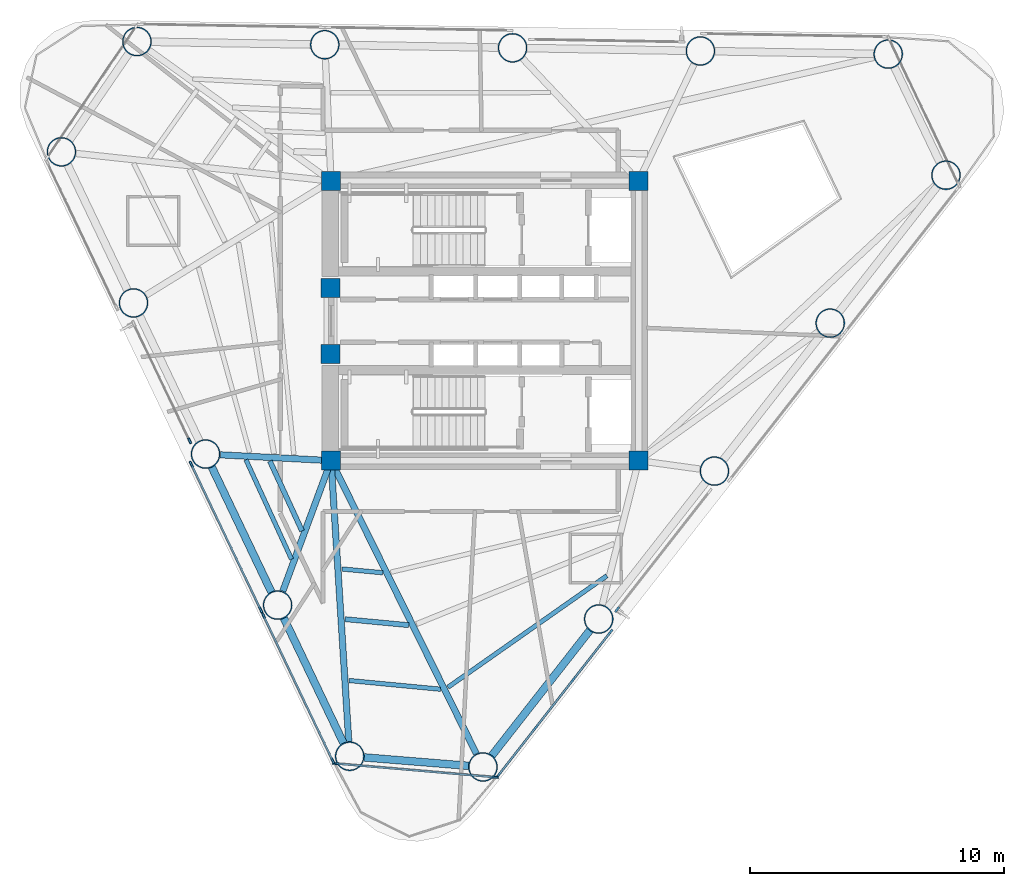
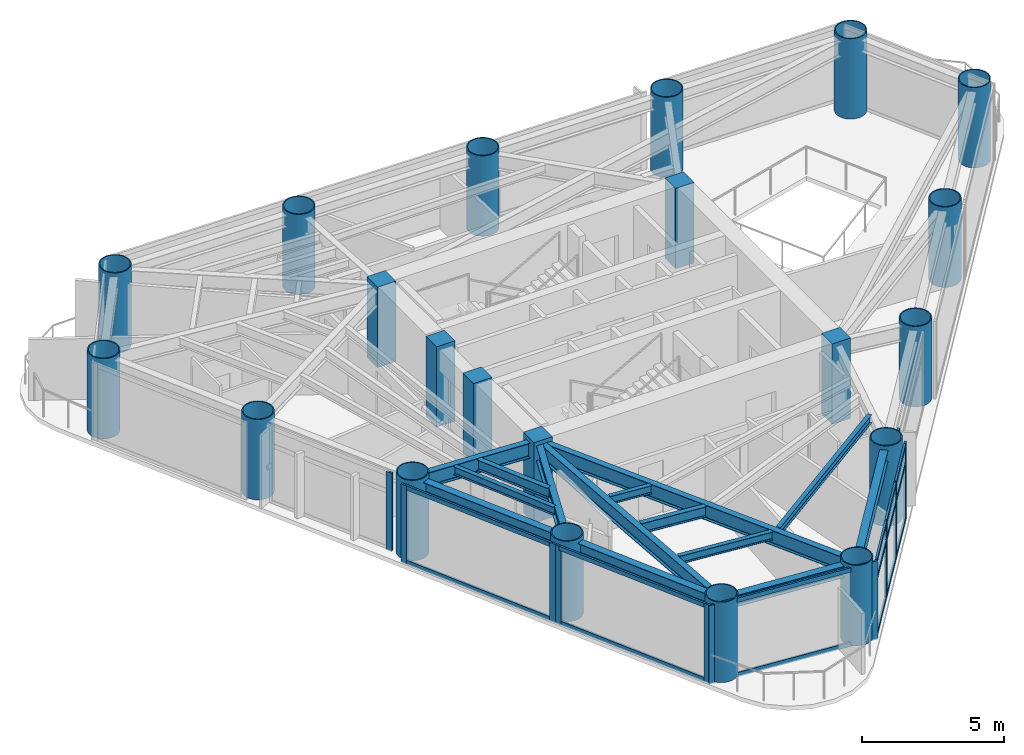
# One storey, part 1 of 9: 27 members, 21 columns, 14 beams, 6 elements without a shape of their own.
"""IFC4 building model written with IfcOpenShell, lengths in metres."""

from ifc_helpers import new_model, si_unit, direction, frame, origin, origin_2d, place, context, subcontext, project, spatial, rectangle, hollow_circle, i_section, extrude, source, transform, mapped, material, layer, layer_set, material_profile, profile_set, type_object, element, aggregate, save


model = new_model("IFC4")

# Units and contexts
model_context = context("Model", 3, precision=1e-05, world=origin(), true_north=direction((0.0, 1.0)))
body_context = subcontext(model_context, "Body", "Model", "MODEL_VIEW")
ifc_project = project(units=[si_unit("LENGTHUNIT", "METRE"), si_unit("AREAUNIT", "SQUARE_METRE"), si_unit("VOLUMEUNIT", "CUBIC_METRE"), si_unit("PLANEANGLEUNIT", "RADIAN"), si_unit("MASSUNIT", "GRAM", prefix="KILO")], contexts=[model_context])

# Site, building, storey
site_placement = place(None, origin())
site = spatial("IfcSite", under=ifc_project, at=site_placement, CompositionType="ELEMENT")
building_placement = place(site_placement, origin())
building = spatial("IfcBuilding", under=site, at=building_placement, Name="Yunling Apex Tower", CompositionType="ELEMENT")
storey_placement = place(building_placement, frame((0.0, 0.0, 194.89990234375)))
storey = spatial("IfcBuildingStorey", under=building, at=storey_placement, Name="L47", CompositionType="ELEMENT", Elevation=194.89990234375)

# Columns
ifc_material_1 = material(Name="Concrete C50", Category="concrete")
ifc_material_profile_1 = material_profile(ifc_material_1, rectangle(XDim=0.75, YDim=0.75, at=origin_2d()))
ifc_profile_set_1 = profile_set([ifc_material_profile_1], Name="Concrete C50")
column_type_1 = type_object("IfcColumnType", Name="PC-SRC-4", PredefinedType="COLUMN", material=ifc_profile_set_1)
shared_shape_1 = source(origin(), body_context, "Body", "SweptSolid", [
    extrude(rectangle(XDim=0.75, YDim=0.75, at=origin_2d()), origin(), (0.0, 0.0, 1.0), 3.4501953125),
])
for number, where, z_axis, x_axis, name in (
    (1, (-6.050048828125, -5.5, 0.0), (0.0, 0.0, 1.0), (1.0, 0.0, 0.0), "L47 Core Spine Column CC-SW"),
    (2, (6.050048828125, -5.5, 0.0), (0.0, 0.0, 1.0), (1.0, 0.0, 0.0), "L47 Core Spine Column CC-SE"),
    (3, (6.050048828125, 5.5, 0.0), (0.0, 0.0, 1.0), (1.0, 0.0, 0.0), "L47 Core Spine Column CC-NE"),
    (4, (-6.050048828125, 5.5, 0.0), (0.0, 0.0, 1.0), (1.0, 0.0, 0.0), "L47 Core Spine Column CC-NW"),
    (5, (-6.074951171875, -1.300048828125, 0.0), (0.0, 0.0, 1.0), (1.0, 0.0, 0.0), "L47 Core West Portal Jamb Column S"),
    (6, (-6.074951171875, 1.300048828125, 0.0), (0.0, 0.0, 1.0), (1.0, 0.0, 0.0), "L47 Core West Portal Jamb Column N"),
):
    element("IfcColumn", number, at=place(storey_placement, frame(where, z_axis=z_axis, x_axis=x_axis)), inside=storey, type_object=column_type_1, Name=name, PredefinedType="COLUMN", context=body_context, shape_type="MappedRepresentation", body=[
        mapped(shared_shape_1, transform((0.0, 0.0, 0.0), scale=1.0)),
    ])
ifc_material_2 = material(Name="Steel Q390GJC", Category="steel")
ifc_material_profile_2 = material_profile(ifc_material_2, hollow_circle(Radius=0.574951171875, WallThickness=0.0419921875, at=origin_2d()))
ifc_profile_set_2 = profile_set([ifc_material_profile_2], Name="Steel Q390GJC")
column_type_2 = type_object("IfcColumnType", Name="MC-CFST-4", PredefinedType="COLUMN", material=ifc_profile_set_2)
shared_shape_2 = source(origin(), body_context, "Body", "SweptSolid", [
    extrude(hollow_circle(Radius=0.574951171875, WallThickness=0.0419921875, at=origin_2d()), origin(), (0.0, 0.0, 1.0), 3.4501953125),
])
for number, where, z_axis, x_axis, name in (
    (7, (-0.073486328125, -17.55322265625, 0.0), (0.0, 0.0, 1.0), (1.0, 0.0, 0.0), "L47 Perimeter CFST Mega-Column P01"),
    (8, (4.480712890625, -11.732177734375, 0.0), (0.0, 0.0, 1.0), (1.0, 0.0, 0.0), "L47 Perimeter CFST Mega-Column P02"),
    (9, (9.03515625, -5.911376953125, 0.0), (0.0, 0.0, 1.0), (1.0, 0.0, 0.0), "L47 Perimeter CFST Mega-Column P03"),
    (10, (13.589599609375, -0.09033203125, 0.0), (0.0, 0.0, 1.0), (1.0, 0.0, 0.0), "L47 Perimeter CFST Mega-Column P04"),
    (11, (18.143798828125, 5.730712890625, 0.0), (0.0, 0.0, 1.0), (1.0, 0.0, 0.0), "L47 Perimeter CFST Mega-Column P05"),
    (12, (15.871826171875, 10.493896484375, 0.0), (0.0, 0.0, 1.0), (1.0, 0.0, 0.0), "L47 Perimeter CFST Mega-Column P06"),
    (13, (8.48193359375, 10.617919921875, 0.0), (0.0, 0.0, 1.0), (1.0, 0.0, 0.0), "L47 Perimeter CFST Mega-Column P07"),
    (14, (1.092041015625, 10.74169921875, 0.0), (0.0, 0.0, 1.0), (1.0, 0.0, 0.0), "L47 Perimeter CFST Mega-Column P08"),
    (15, (-6.2978515625, 10.865478515625, 0.0), (0.0, 0.0, 1.0), (1.0, 0.0, 0.0), "L47 Perimeter CFST Mega-Column P09"),
    (16, (-13.687744140625, 10.989501953125, 0.0), (0.0, 0.0, 1.0), (1.0, 0.0, 0.0), "L47 Perimeter CFST Mega-Column P10"),
    (17, (-16.657958984375, 6.649169921875, 0.0), (0.0, 0.0, 1.0), (1.0, 0.0, 0.0), "L47 Perimeter CFST Mega-Column P11"),
    (18, (-13.822509765625, 0.704345703125, 0.0), (0.0, 0.0, 1.0), (1.0, 0.0, 0.0), "L47 Perimeter CFST Mega-Column P12"),
    (19, (-10.98681640625, -5.240478515625, 0.0), (0.0, 0.0, 1.0), (1.0, 0.0, 0.0), "L47 Perimeter CFST Mega-Column P13"),
    (20, (-8.1513671875, -11.185302734375, 0.0), (0.0, 0.0, 1.0), (1.0, 0.0, 0.0), "L47 Perimeter CFST Mega-Column P14"),
    (21, (-5.31591796875, -17.130126953125, 0.0), (0.0, 0.0, 1.0), (1.0, 0.0, 0.0), "L47 Perimeter CFST Mega-Column P15"),
):
    element("IfcColumn", number, at=place(storey_placement, frame(where, z_axis=z_axis, x_axis=x_axis)), inside=storey, type_object=column_type_2, Name=name, PredefinedType="COLUMN", context=body_context, shape_type="MappedRepresentation", body=[
        mapped(shared_shape_2, transform((0.0, 0.0, 0.0), scale=1.0)),
    ])

# Beams
ifc_material_3 = material(Name="Steel Q355B", Category="steel")
ifc_material_profile_3 = material_profile(ifc_material_3, i_section(OverallWidth=0.300048828125, OverallDepth=0.489990234375, WebThickness=0.010986328125, FlangeThickness=0.01806640625, FilletRadius=0.02197265625, at=origin_2d()))
ifc_profile_set_3 = profile_set([ifc_material_profile_3], Name="Steel Q355B")
beam_type_1 = type_object("IfcBeamType", Name="BP-SPN-2", PredefinedType="SPANDREL", material=ifc_profile_set_3)
shared_shape_3 = source(origin(), body_context, "Body", "SweptSolid", [
    extrude(i_section(OverallWidth=0.300048828125, OverallDepth=0.489990234375, WebThickness=0.010986328125, FlangeThickness=0.01806640625, FilletRadius=0.02197265625, at=origin_2d()), origin(), (0.0, 0.0, 1.0), 6.252685546875),
])
beam_1_placement = place(storey_placement, frame((0.277099609375, -17.10498046875, 3.025146484375), z_axis=(0.616211399259, 0.787580796759, 0.0), x_axis=(-0.787580796759, 0.616211399259, 0.0)))
element("IfcBeam", 22, at=beam_1_placement, inside=storey, type_object=beam_type_1, Name="L47 Perimeter Spandrel Beam 1", PredefinedType="SPANDREL", context=body_context, shape_type="MappedRepresentation", body=[
    mapped(shared_shape_3, transform((0.0, 0.0, 0.0), scale=1.0)),
])
shared_shape_4 = source(origin(), body_context, "Body", "SweptSolid", [
    extrude(i_section(OverallWidth=0.300048828125, OverallDepth=0.489990234375, WebThickness=0.010986328125, FlangeThickness=0.01806640625, FilletRadius=0.02197265625, at=origin_2d()), origin(), (0.0, 0.0, 1.0), 4.121337890625),
])
beam_2_placement = place(storey_placement, frame((-4.74853515625, -17.17578125, 3.025146484375), z_axis=(0.996758900332, -0.080446843376, 0.0), x_axis=(0.080446843376, 0.996758900332, 0.0)))
element("IfcBeam", 23, at=beam_2_placement, inside=storey, type_object=beam_type_1, Name="L47 Perimeter Spandrel Beam 15", PredefinedType="SPANDREL", context=body_context, shape_type="MappedRepresentation", body=[
    mapped(shared_shape_4, transform((0.0, 0.0, 0.0), scale=1.0)),
])
shared_shape_5 = source(origin(), body_context, "Body", "SweptSolid", [
    extrude(i_section(OverallWidth=0.300048828125, OverallDepth=0.489990234375, WebThickness=0.010986328125, FlangeThickness=0.01806640625, FilletRadius=0.02197265625, at=origin_2d()), origin(), (0.0, 0.0, 1.0), 5.4482421875),
])
for number, where, z_axis, x_axis, name in (
    (24, (-10.741943359375, -5.754150390625, 3.025146484375), (0.430538797564, -0.902572071246, 0.0), (0.902572071246, 0.430538797564, 0.0), "L47 Perimeter Spandrel Beam 13"),
    (25, (-7.90625, -11.698974609375, 3.025146484375), (0.430502292287, -0.902589483839, 0.0), (0.902589483839, 0.430502292287, 0.0), "L47 Perimeter Spandrel Beam 14"),
):
    element("IfcBeam", number, at=place(storey_placement, frame(where, z_axis=z_axis, x_axis=x_axis)), inside=storey, type_object=beam_type_1, Name=name, PredefinedType="SPANDREL", context=body_context, shape_type="MappedRepresentation", body=[
        mapped(shared_shape_5, transform((0.0, 0.0, 0.0), scale=1.0)),
    ])
ifc_material_profile_4 = material_profile(ifc_material_3, i_section(OverallWidth=0.25, OverallDepth=0.64990234375, WebThickness=0.011962890625, FlangeThickness=0.02001953125, FilletRadius=0.02392578125, at=origin_2d()))
ifc_profile_set_4 = profile_set([ifc_material_profile_4], Name="Steel Q355B")
beam_type_2 = type_object("IfcBeamType", Name="BG-PRI-4", PredefinedType="USERDEFINED", material=ifc_profile_set_4)
shared_shape_6 = source(origin(), body_context, "Body", "SweptSolid", [
    extrude(i_section(OverallWidth=0.25, OverallDepth=0.64990234375, WebThickness=0.011962890625, FlangeThickness=0.02001953125, FilletRadius=0.02392578125, at=origin_2d()), origin(), (0.0, 0.0, 1.0), 12.79052734375),
])
beam_3_placement = place(storey_placement, frame((-0.33251953125, -17.031005859375, 2.945068359375), z_axis=(-0.444225803272, 0.895914859631, 0.0), x_axis=(-0.895914859631, -0.444225803272, 0.0)))
element("IfcBeam", 26, at=beam_3_placement, inside=storey, type_object=beam_type_2, Name="L47 Radial Primary Girder R01", ObjectType="GIRDER", PredefinedType="USERDEFINED", context=body_context, shape_type="MappedRepresentation", body=[
    mapped(shared_shape_6, transform((0.0, 0.0, 0.0), scale=1.0)),
])
shared_shape_7 = source(origin(), body_context, "Body", "SweptSolid", [
    extrude(i_section(OverallWidth=0.25, OverallDepth=0.64990234375, WebThickness=0.011962890625, FlangeThickness=0.02001953125, FilletRadius=0.02392578125, at=origin_2d()), origin(), (0.0, 0.0, 1.0), 4.28076171875),
])
beam_4_placement = place(storey_placement, frame((-10.40478515625, -5.27099609375, 2.945068359375), z_axis=(0.998619561788, -0.052525906134, 0.0), x_axis=(0.052525906134, 0.998619561788, 0.0)))
element("IfcBeam", 27, at=beam_4_placement, inside=storey, type_object=beam_type_2, Name="L47 Radial Primary Girder R13", ObjectType="GIRDER", PredefinedType="USERDEFINED", context=body_context, shape_type="MappedRepresentation", body=[
    mapped(shared_shape_7, transform((0.0, 0.0, 0.0), scale=1.0)),
])
shared_shape_8 = source(origin(), body_context, "Body", "SweptSolid", [
    extrude(i_section(OverallWidth=0.25, OverallDepth=0.64990234375, WebThickness=0.011962890625, FlangeThickness=0.02001953125, FilletRadius=0.02392578125, at=origin_2d()), origin(), (0.0, 0.0, 1.0), 5.398193359375),
])
beam_5_placement = place(storey_placement, frame((-7.94921875, -10.638427734375, 2.945068359375), z_axis=(0.346698581513, 0.937976595431, 0.0), x_axis=(-0.937976595431, 0.346698581513, 0.0)))
element("IfcBeam", 28, at=beam_5_placement, inside=storey, type_object=beam_type_2, Name="L47 Radial Primary Girder R14", ObjectType="GIRDER", PredefinedType="USERDEFINED", context=body_context, shape_type="MappedRepresentation", body=[
    mapped(shared_shape_8, transform((0.0, 0.0, 0.0), scale=1.0)),
])
shared_shape_9 = source(origin(), body_context, "Body", "SweptSolid", [
    extrude(i_section(OverallWidth=0.25, OverallDepth=0.64990234375, WebThickness=0.011962890625, FlangeThickness=0.02001953125, FilletRadius=0.02392578125, at=origin_2d()), origin(), (0.0, 0.0, 1.0), 10.990234375),
])
beam_6_placement = place(storey_placement, frame((-5.3525390625, -16.54833984375, 2.945068359375), z_axis=(-0.062999232086, 0.998013575437, 0.0), x_axis=(-0.998013575437, -0.062999232086, 0.0)))
element("IfcBeam", 29, at=beam_6_placement, inside=storey, type_object=beam_type_2, Name="L47 Radial Primary Girder R15", ObjectType="GIRDER", PredefinedType="USERDEFINED", context=body_context, shape_type="MappedRepresentation", body=[
    mapped(shared_shape_9, transform((0.0, 0.0, 0.0), scale=1.0)),
])
ifc_material_profile_5 = material_profile(ifc_material_3, i_section(OverallWidth=0.175048828125, OverallDepth=0.35009765625, WebThickness=0.007080078125, FlangeThickness=0.010986328125, FilletRadius=0.013916015625, at=origin_2d()))
ifc_profile_set_5 = profile_set([ifc_material_profile_5], Name="Steel Q355B")
beam_type_3 = type_object("IfcBeamType", Name="BJ-JST-1", PredefinedType="JOIST", material=ifc_profile_set_5)
shared_shape_10 = source(origin(), body_context, "Body", "SweptSolid", [
    extrude(i_section(OverallWidth=0.175048828125, OverallDepth=0.35009765625, WebThickness=0.007080078125, FlangeThickness=0.010986328125, FilletRadius=0.013916015625, at=origin_2d()), origin(), (0.0, 0.0, 1.0), 7.639892578125),
])
beam_7_placement = place(storey_placement, frame((-1.45166015625, -14.41796875, 3.09521484375), z_axis=(0.818522685397, 0.574474206113, 0.0), x_axis=(-0.574474206113, 0.818522685397, 0.0)))
element("IfcBeam", 30, at=beam_7_placement, inside=storey, type_object=beam_type_3, Name="L47 Composite Floor Joist BJ1-1", PredefinedType="JOIST", context=body_context, shape_type="MappedRepresentation", body=[
    mapped(shared_shape_10, transform((0.0, 0.0, 0.0), scale=1.0)),
])
ifc_material_profile_6 = material_profile(ifc_material_3, i_section(OverallWidth=0.199951171875, OverallDepth=0.449951171875, WebThickness=0.009033203125, FlangeThickness=0.013916015625, FilletRadius=0.01806640625, at=origin_2d()))
ifc_profile_set_6 = profile_set([ifc_material_profile_6], Name="Steel Q355B")
beam_type_4 = type_object("IfcBeamType", Name="BS-SEC-3", PredefinedType="BEAM", material=ifc_profile_set_6)
shared_shape_11 = source(origin(), body_context, "Body", "SweptSolid", [
    extrude(i_section(OverallWidth=0.199951171875, OverallDepth=0.449951171875, WebThickness=0.009033203125, FlangeThickness=0.013916015625, FilletRadius=0.01806640625, at=origin_2d()), origin(), (0.0, 0.0, 1.0), 3.0263671875),
])
beam_8_placement = place(storey_placement, frame((-8.456787109375, -5.515380859375, 3.045166015625), z_axis=(0.417707186738, -0.908581700315, 0.0), x_axis=(0.908581700315, 0.417707186738, 0.0)))
element("IfcBeam", 31, at=beam_8_placement, inside=storey, type_object=beam_type_4, Name="L47 Composite Floor Beam BS-13", PredefinedType="BEAM", context=body_context, shape_type="MappedRepresentation", body=[
    mapped(shared_shape_11, transform((0.0, 0.0, 0.0), scale=1.0)),
])
shared_shape_12 = source(origin(), body_context, "Body", "SweptSolid", [
    extrude(i_section(OverallWidth=0.175048828125, OverallDepth=0.35009765625, WebThickness=0.007080078125, FlangeThickness=0.010986328125, FilletRadius=0.013916015625, at=origin_2d()), origin(), (0.0, 0.0, 1.0), 4.3046875),
])
beam_9_placement = place(storey_placement, frame((-9.397705078125, -5.466064453125, 3.09521484375), z_axis=(0.416693768596, -0.909046920248, 0.0), x_axis=(0.909046920248, 0.416693768596, 0.0)))
element("IfcBeam", 32, at=beam_9_placement, inside=storey, type_object=beam_type_3, Name="L47 Composite Floor Joist BJ1-13", PredefinedType="JOIST", context=body_context, shape_type="MappedRepresentation", body=[
    mapped(shared_shape_12, transform((0.0, 0.0, 0.0), scale=1.0)),
])
shared_shape_13 = source(origin(), body_context, "Body", "SweptSolid", [
    extrude(i_section(OverallWidth=0.199951171875, OverallDepth=0.449951171875, WebThickness=0.009033203125, FlangeThickness=0.013916015625, FilletRadius=0.01806640625, at=origin_2d()), origin(), (0.0, 0.0, 1.0), 2.51708984375),
])
beam_10_placement = place(storey_placement, frame((-5.497802734375, -11.7373046875, 3.045166015625), z_axis=(0.995573168634, -0.093989711653, 0.0), x_axis=(0.093989711653, 0.995573168634, 0.0)))
element("IfcBeam", 33, at=beam_10_placement, inside=storey, type_object=beam_type_4, Name="L47 Composite Floor Beam BS-15", PredefinedType="BEAM", context=body_context, shape_type="MappedRepresentation", body=[
    mapped(shared_shape_13, transform((0.0, 0.0, 0.0), scale=1.0)),
])
shared_shape_14 = source(origin(), body_context, "Body", "SweptSolid", [
    extrude(i_section(OverallWidth=0.175048828125, OverallDepth=0.35009765625, WebThickness=0.007080078125, FlangeThickness=0.010986328125, FilletRadius=0.013916015625, at=origin_2d()), origin(), (0.0, 0.0, 1.0), 3.620361328125),
])
beam_11_placement = place(storey_placement, frame((-5.345703125, -14.150390625, 3.09521484375), z_axis=(0.99546937037, -0.095082767391, 0.0), x_axis=(0.095082767391, 0.99546937037, 0.0)))
element("IfcBeam", 34, at=beam_11_placement, inside=storey, type_object=beam_type_3, Name="L47 Composite Floor Joist BJ1-15", PredefinedType="JOIST", context=body_context, shape_type="MappedRepresentation", body=[
    mapped(shared_shape_14, transform((0.0, 0.0, 0.0), scale=1.0)),
])
shared_shape_15 = source(origin(), body_context, "Body", "SweptSolid", [
    extrude(i_section(OverallWidth=0.175048828125, OverallDepth=0.35009765625, WebThickness=0.007080078125, FlangeThickness=0.010986328125, FilletRadius=0.013916015625, at=origin_2d()), origin(), (0.0, 0.0, 1.0), 1.61474609375),
])
beam_12_placement = place(storey_placement, frame((-5.62255859375, -9.7626953125, 3.09521484375), z_axis=(0.995751976421, -0.092076063413, 0.0), x_axis=(0.092076063413, 0.995751976421, 0.0)))
element("IfcBeam", 35, at=beam_12_placement, inside=storey, type_object=beam_type_3, Name="L47 Composite Floor Joist BJ3-15", PredefinedType="JOIST", context=body_context, shape_type="MappedRepresentation", body=[
    mapped(shared_shape_15, transform((0.0, 0.0, 0.0), scale=1.0)),
])

# Curtain wall, members
ifc_material_4 = material(Name="Bronze anodised aluminium", Category="aluminium")
ifc_layer = layer(ifc_material_4, 0.239990234375)
ifc_layer_set = layer_set([ifc_layer], Name="Bronze anodised aluminium")
curtain_wall_type = type_object("IfcCurtainWallType", Name="CW-SYS-3", PredefinedType="NOTDEFINED", material=ifc_layer_set)
curtain_wall_1_placement = place(storey_placement, origin())
curtain_wall_1 = element("IfcCurtainWall", 36, at=curtain_wall_1_placement, inside=storey, type_object=curtain_wall_type, Name="CW-L47-F1-B1", PredefinedType="NOTDEFINED")
ifc_material_profile_7 = material_profile(ifc_material_4, rectangle(XDim=0.080078125, YDim=0.239990234375, at=origin_2d()))
ifc_profile_set_7 = profile_set([ifc_material_profile_7], Name="Bronze anodised aluminium")
member_type_1 = type_object("IfcMemberType", Name="CW-MUL-3", PredefinedType="MULLION", material=ifc_profile_set_7)
shared_shape_16 = source(origin(), body_context, "Body", "SweptSolid", [
    extrude(rectangle(XDim=0.080078125, YDim=0.239990234375, at=origin_2d()), origin(), (0.0, 0.0, 1.0), 3.369873046875),
])
member_1_placement = place(storey_placement, frame((0.535888671875, -17.877685546875, -0.0498046875), z_axis=(0.0, 0.0, 1.0), x_axis=(-0.787589332433, 0.616200489644, 0.0)))
member_1 = element("IfcMember", 37, at=member_1_placement, type_object=member_type_1, Name="CW-SYS-3 mullion 1", PredefinedType="MULLION", context=body_context, shape_type="MappedRepresentation", body=[
    mapped(shared_shape_16, transform((0.0, 0.0, 0.0), scale=1.0)),
])
member_2_placement = place(storey_placement, frame((1.99658203125, -16.010986328125, -0.0498046875), z_axis=(0.0, 0.0, 1.0), x_axis=(-0.787589332433, 0.616200489644, 0.0)))
member_2 = element("IfcMember", 38, at=member_2_placement, type_object=member_type_1, Name="CW-SYS-3 mullion 2", PredefinedType="MULLION", context=body_context, shape_type="MappedRepresentation", body=[
    mapped(shared_shape_16, transform((0.0, 0.0, 0.0), scale=1.0)),
])
member_3_placement = place(storey_placement, frame((3.481689453125, -14.112548828125, -0.0498046875), z_axis=(0.0, 0.0, 1.0), x_axis=(-0.787589332433, 0.616200489644, 0.0)))
member_3 = element("IfcMember", 39, at=member_3_placement, type_object=member_type_1, Name="CW-SYS-3 mullion 3", PredefinedType="MULLION", context=body_context, shape_type="MappedRepresentation", body=[
    mapped(shared_shape_16, transform((0.0, 0.0, 0.0), scale=1.0)),
])
member_4_placement = place(storey_placement, frame((4.9423828125, -12.24560546875, -0.0498046875), z_axis=(0.0, 0.0, 1.0), x_axis=(-0.787589332433, 0.616200489644, 0.0)))
member_4 = element("IfcMember", 40, at=member_4_placement, type_object=member_type_1, Name="CW-SYS-3 mullion 4", PredefinedType="MULLION", context=body_context, shape_type="MappedRepresentation", body=[
    mapped(shared_shape_16, transform((0.0, 0.0, 0.0), scale=1.0)),
])

# Curtain wall, member
curtain_wall_2_placement = place(storey_placement, origin())
curtain_wall_2 = element("IfcCurtainWall", 41, at=curtain_wall_2_placement, inside=storey, type_object=curtain_wall_type, Name="CW-L47-F1-B2", PredefinedType="NOTDEFINED")
member_5_placement = place(storey_placement, frame((5.20458984375, -11.35888671875, -0.0498046875), z_axis=(0.0, 0.0, 1.0), x_axis=(-0.787576499109, 0.616216892053, 0.0)))
member_5 = element("IfcMember", 42, at=member_5_placement, type_object=member_type_1, Name="CW-SYS-3 mullion 1", PredefinedType="MULLION", context=body_context, shape_type="MappedRepresentation", body=[
    mapped(shared_shape_16, transform((0.0, 0.0, 0.0), scale=1.0)),
])
aggregate(curtain_wall_2, [member_5])

curtain_wall_3_placement = place(storey_placement, origin())
curtain_wall_3 = element("IfcCurtainWall", 43, at=curtain_wall_3_placement, inside=storey, type_object=curtain_wall_type, Name="CW-L47-F3-B2", PredefinedType="NOTDEFINED")
member_6_placement = place(storey_placement, frame((-11.6123046875, -4.718994140625, -0.0498046875), z_axis=(0.0, 0.0, 1.0), x_axis=(0.902583049107, 0.430515783062, 0.0)))
member_6 = element("IfcMember", 44, at=member_6_placement, type_object=member_type_1, Name="CW-SYS-3 mullion 2", PredefinedType="MULLION", context=body_context, shape_type="MappedRepresentation", body=[
    mapped(shared_shape_16, transform((0.0, 0.0, 0.0), scale=1.0)),
])
aggregate(curtain_wall_3, [member_6])

# Curtain wall, members
curtain_wall_4_placement = place(storey_placement, origin())
curtain_wall_4 = element("IfcCurtainWall", 45, at=curtain_wall_4_placement, inside=storey, type_object=curtain_wall_type, Name="CW-L47-F3-B3", PredefinedType="NOTDEFINED")
member_7_placement = place(storey_placement, frame((-11.549072265625, -5.6416015625, -0.0498046875), z_axis=(0.0, 0.0, 1.0), x_axis=(0.902588239851, 0.430504900417, 0.0)))
member_7 = element("IfcMember", 46, at=member_7_placement, type_object=member_type_1, Name="CW-SYS-3 mullion 1", PredefinedType="MULLION", context=body_context, shape_type="MappedRepresentation", body=[
    mapped(shared_shape_16, transform((0.0, 0.0, 0.0), scale=1.0)),
])
member_8_placement = place(storey_placement, frame((-8.81689453125, -11.36962890625, -0.0498046875), z_axis=(0.0, 0.0, 1.0), x_axis=(0.902588239851, 0.430504900417, 0.0)))
member_8 = element("IfcMember", 47, at=member_8_placement, type_object=member_type_1, Name="CW-SYS-3 mullion 2", PredefinedType="MULLION", context=body_context, shape_type="MappedRepresentation", body=[
    mapped(shared_shape_16, transform((0.0, 0.0, 0.0), scale=1.0)),
])

curtain_wall_5_placement = place(storey_placement, origin())
curtain_wall_5 = element("IfcCurtainWall", 48, at=curtain_wall_5_placement, inside=storey, type_object=curtain_wall_type, Name="CW-L47-F3-B4", PredefinedType="NOTDEFINED")
member_9_placement = place(storey_placement, frame((-8.71337890625, -11.586181640625, -0.0498046875), z_axis=(0.0, 0.0, 1.0), x_axis=(0.902582193367, 0.430517577128, 0.0)))
member_9 = element("IfcMember", 49, at=member_9_placement, type_object=member_type_1, Name="CW-SYS-3 mullion 1", PredefinedType="MULLION", context=body_context, shape_type="MappedRepresentation", body=[
    mapped(shared_shape_16, transform((0.0, 0.0, 0.0), scale=1.0)),
])
member_10_placement = place(storey_placement, frame((-5.981201171875, -17.314453125, -0.0498046875), z_axis=(0.0, 0.0, 1.0), x_axis=(0.902582193367, 0.430517577128, 0.0)))
member_10 = element("IfcMember", 50, at=member_10_placement, type_object=member_type_1, Name="CW-SYS-3 mullion 2", PredefinedType="MULLION", context=body_context, shape_type="MappedRepresentation", body=[
    mapped(shared_shape_16, transform((0.0, 0.0, 0.0), scale=1.0)),
])

curtain_wall_6_placement = place(storey_placement, origin())
curtain_wall_6 = element("IfcCurtainWall", 51, at=curtain_wall_6_placement, inside=storey, type_object=curtain_wall_type, Name="CW-L47-CRN3", PredefinedType="NOTDEFINED")
member_11_placement = place(storey_placement, frame((-5.87158203125, -17.417724609375, -0.0498046875), z_axis=(0.0, 0.0, 1.0), x_axis=(0.085517150026, 0.996336698637, 0.0)))
member_11 = element("IfcMember", 52, at=member_11_placement, type_object=member_type_1, Name="CW-SYS-3 mullion 1", PredefinedType="MULLION", context=body_context, shape_type="MappedRepresentation", body=[
    mapped(shared_shape_16, transform((0.0, 0.0, 0.0), scale=1.0)),
])
member_12_placement = place(storey_placement, frame((0.406494140625, -17.95654296875, -0.0498046875), z_axis=(0.0, 0.0, 1.0), x_axis=(0.085517150026, 0.996336698637, 0.0)))
member_12 = element("IfcMember", 53, at=member_12_placement, type_object=member_type_1, Name="CW-SYS-3 mullion 2", PredefinedType="MULLION", context=body_context, shape_type="MappedRepresentation", body=[
    mapped(shared_shape_16, transform((0.0, 0.0, 0.0), scale=1.0)),
])

# Member
ifc_material_profile_8 = material_profile(ifc_material_4, rectangle(XDim=0.080078125, YDim=0.18505859375, at=origin_2d()))
ifc_profile_set_8 = profile_set([ifc_material_profile_8], Name="Bronze anodised aluminium")
member_type_2 = type_object("IfcMemberType", Name="CW-TRN-3", PredefinedType="USERDEFINED", material=ifc_profile_set_8)
shared_shape_17 = source(origin(), body_context, "Body", "SweptSolid", [
    extrude(rectangle(XDim=0.080078125, YDim=0.18505859375, at=origin_2d()), origin(), (0.0, 0.0, 1.0), 2.29833984375),
])
member_13_placement = place(storey_placement, frame((0.55810546875, -17.849365234375, 0.0400390625), z_axis=(0.616225194125, 0.787570003317, 0.0), x_axis=(-0.787570003317, 0.616225194125, 0.0)))
member_13 = element("IfcMember", 54, at=member_13_placement, type_object=member_type_2, Name="CW-SYS-3 transom 1.1", ObjectType="TRANSOM", PredefinedType="USERDEFINED", context=body_context, shape_type="MappedRepresentation", body=[
    mapped(shared_shape_17, transform((0.0, 0.0, 0.0), scale=1.0)),
])

member_14_placement = place(storey_placement, frame((0.55810546875, -17.849365234375, 2.4853515625), z_axis=(0.616225194125, 0.787570003317, 0.0), x_axis=(-0.787570003317, 0.616225194125, 0.0)))
member_14 = element("IfcMember", 55, at=member_14_placement, type_object=member_type_2, Name="CW-SYS-3 transom 1.2", ObjectType="TRANSOM", PredefinedType="USERDEFINED", context=body_context, shape_type="MappedRepresentation", body=[
    mapped(shared_shape_17, transform((0.0, 0.0, 0.0), scale=1.0)),
])

member_15_placement = place(storey_placement, frame((0.55810546875, -17.849365234375, 3.22998046875), z_axis=(0.616225194125, 0.787570003317, 0.0), x_axis=(-0.787570003317, 0.616225194125, 0.0)))
member_15 = element("IfcMember", 56, at=member_15_placement, type_object=member_type_2, Name="CW-SYS-3 transom 1.3", ObjectType="TRANSOM", PredefinedType="USERDEFINED", context=body_context, shape_type="MappedRepresentation", body=[
    mapped(shared_shape_17, transform((0.0, 0.0, 0.0), scale=1.0)),
])

member_16_placement = place(storey_placement, frame((3.50390625, -14.084228515625, 0.0400390625), z_axis=(0.616225194125, 0.787570003317, 0.0), x_axis=(-0.787570003317, 0.616225194125, 0.0)))
member_16 = element("IfcMember", 57, at=member_16_placement, type_object=member_type_2, Name="CW-SYS-3 transom 3.1", ObjectType="TRANSOM", PredefinedType="USERDEFINED", context=body_context, shape_type="MappedRepresentation", body=[
    mapped(shared_shape_17, transform((0.0, 0.0, 0.0), scale=1.0)),
])

member_17_placement = place(storey_placement, frame((3.50390625, -14.084228515625, 2.4853515625), z_axis=(0.616225194125, 0.787570003317, 0.0), x_axis=(-0.787570003317, 0.616225194125, 0.0)))
member_17 = element("IfcMember", 58, at=member_17_placement, type_object=member_type_2, Name="CW-SYS-3 transom 3.2", ObjectType="TRANSOM", PredefinedType="USERDEFINED", context=body_context, shape_type="MappedRepresentation", body=[
    mapped(shared_shape_17, transform((0.0, 0.0, 0.0), scale=1.0)),
])

member_18_placement = place(storey_placement, frame((3.50390625, -14.084228515625, 3.22998046875), z_axis=(0.616225194125, 0.787570003317, 0.0), x_axis=(-0.787570003317, 0.616225194125, 0.0)))
member_18 = element("IfcMember", 59, at=member_18_placement, type_object=member_type_2, Name="CW-SYS-3 transom 3.3", ObjectType="TRANSOM", PredefinedType="USERDEFINED", context=body_context, shape_type="MappedRepresentation", body=[
    mapped(shared_shape_17, transform((0.0, 0.0, 0.0), scale=1.0)),
])

shared_shape_18 = source(origin(), body_context, "Body", "SweptSolid", [
    extrude(rectangle(XDim=0.080078125, YDim=0.18505859375, at=origin_2d()), origin(), (0.0, 0.0, 1.0), 2.338134765625),
])
member_19_placement = place(storey_placement, frame((2.018798828125, -15.982421875, 0.0400390625), z_axis=(0.61616466275, 0.787617361654, 0.0), x_axis=(-0.787617361654, 0.61616466275, 0.0)))
member_19 = element("IfcMember", 60, at=member_19_placement, type_object=member_type_2, Name="CW-SYS-3 transom 2.1", ObjectType="TRANSOM", PredefinedType="USERDEFINED", context=body_context, shape_type="MappedRepresentation", body=[
    mapped(shared_shape_18, transform((0.0, 0.0, 0.0), scale=1.0)),
])

member_20_placement = place(storey_placement, frame((2.018798828125, -15.982421875, 2.4853515625), z_axis=(0.61616466275, 0.787617361654, 0.0), x_axis=(-0.787617361654, 0.61616466275, 0.0)))
member_20 = element("IfcMember", 61, at=member_20_placement, type_object=member_type_2, Name="CW-SYS-3 transom 2.2", ObjectType="TRANSOM", PredefinedType="USERDEFINED", context=body_context, shape_type="MappedRepresentation", body=[
    mapped(shared_shape_18, transform((0.0, 0.0, 0.0), scale=1.0)),
])

member_21_placement = place(storey_placement, frame((2.018798828125, -15.982421875, 3.22998046875), z_axis=(0.61616466275, 0.787617361654, 0.0), x_axis=(-0.787617361654, 0.61616466275, 0.0)))
member_21 = element("IfcMember", 62, at=member_21_placement, type_object=member_type_2, Name="CW-SYS-3 transom 2.3", ObjectType="TRANSOM", PredefinedType="USERDEFINED", context=body_context, shape_type="MappedRepresentation", body=[
    mapped(shared_shape_18, transform((0.0, 0.0, 0.0), scale=1.0)),
])

aggregate(curtain_wall_1, [member_1, member_2, member_3, member_4, member_13, member_14, member_15, member_19, member_20, member_21, member_16, member_17, member_18])

shared_shape_19 = source(origin(), body_context, "Body", "SweptSolid", [
    extrude(rectangle(XDim=0.080078125, YDim=0.18505859375, at=origin_2d()), origin(), (0.0, 0.0, 1.0), 6.2744140625),
])
member_22_placement = place(storey_placement, frame((-11.533447265625, -5.674072265625, 0.0400390625), z_axis=(0.430513491492, -0.902584142141, 0.0), x_axis=(0.902584142141, 0.430513491492, 0.0)))
member_22 = element("IfcMember", 63, at=member_22_placement, type_object=member_type_2, Name="CW-SYS-3 transom 1.1", ObjectType="TRANSOM", PredefinedType="USERDEFINED", context=body_context, shape_type="MappedRepresentation", body=[
    mapped(shared_shape_19, transform((0.0, 0.0, 0.0), scale=1.0)),
])

member_23_placement = place(storey_placement, frame((-11.533447265625, -5.674072265625, 3.22998046875), z_axis=(0.430513491492, -0.902584142141, 0.0), x_axis=(0.902584142141, 0.430513491492, 0.0)))
member_23 = element("IfcMember", 64, at=member_23_placement, type_object=member_type_2, Name="CW-SYS-3 transom 1.2", ObjectType="TRANSOM", PredefinedType="USERDEFINED", context=body_context, shape_type="MappedRepresentation", body=[
    mapped(shared_shape_19, transform((0.0, 0.0, 0.0), scale=1.0)),
])

aggregate(curtain_wall_4, [member_7, member_8, member_22, member_23])

member_24_placement = place(storey_placement, frame((-8.697998046875, -11.618896484375, 0.0400390625), z_axis=(0.430513491492, -0.902584142141, 0.0), x_axis=(0.902584142141, 0.430513491492, 0.0)))
member_24 = element("IfcMember", 65, at=member_24_placement, type_object=member_type_2, Name="CW-SYS-3 transom 1.1", ObjectType="TRANSOM", PredefinedType="USERDEFINED", context=body_context, shape_type="MappedRepresentation", body=[
    mapped(shared_shape_19, transform((0.0, 0.0, 0.0), scale=1.0)),
])

member_25_placement = place(storey_placement, frame((-8.697998046875, -11.618896484375, 3.22998046875), z_axis=(0.430513491492, -0.902584142141, 0.0), x_axis=(0.902584142141, 0.430513491492, 0.0)))
member_25 = element("IfcMember", 66, at=member_25_placement, type_object=member_type_2, Name="CW-SYS-3 transom 1.2", ObjectType="TRANSOM", PredefinedType="USERDEFINED", context=body_context, shape_type="MappedRepresentation", body=[
    mapped(shared_shape_19, transform((0.0, 0.0, 0.0), scale=1.0)),
])

aggregate(curtain_wall_5, [member_9, member_10, member_24, member_25])

shared_shape_20 = source(origin(), body_context, "Body", "SweptSolid", [
    extrude(rectangle(XDim=0.080078125, YDim=0.18505859375, at=origin_2d()), origin(), (0.0, 0.0, 1.0), 6.22900390625),
])
member_26_placement = place(storey_placement, frame((-5.835693359375, -17.420654296875, 0.0400390625), z_axis=(0.996336446565, -0.085520086795, 0.0), x_axis=(0.085520086795, 0.996336446565, 0.0)))
member_26 = element("IfcMember", 67, at=member_26_placement, type_object=member_type_2, Name="CW-SYS-3 transom 1.1", ObjectType="TRANSOM", PredefinedType="USERDEFINED", context=body_context, shape_type="MappedRepresentation", body=[
    mapped(shared_shape_20, transform((0.0, 0.0, 0.0), scale=1.0)),
])

member_27_placement = place(storey_placement, frame((-5.835693359375, -17.420654296875, 3.22998046875), z_axis=(0.996336446565, -0.085520086795, 0.0), x_axis=(0.085520086795, 0.996336446565, 0.0)))
member_27 = element("IfcMember", 68, at=member_27_placement, type_object=member_type_2, Name="CW-SYS-3 transom 1.2", ObjectType="TRANSOM", PredefinedType="USERDEFINED", context=body_context, shape_type="MappedRepresentation", body=[
    mapped(shared_shape_20, transform((0.0, 0.0, 0.0), scale=1.0)),
])

aggregate(curtain_wall_6, [member_11, member_12, member_26, member_27])

save(model, "model.ifc")
